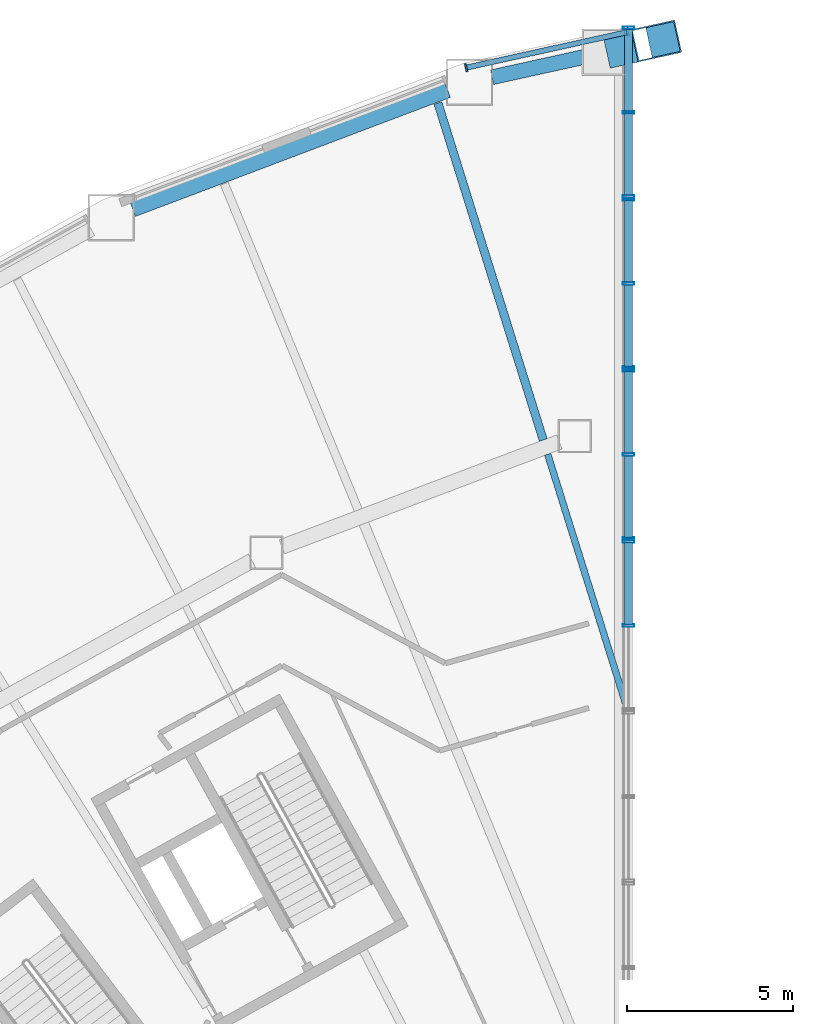
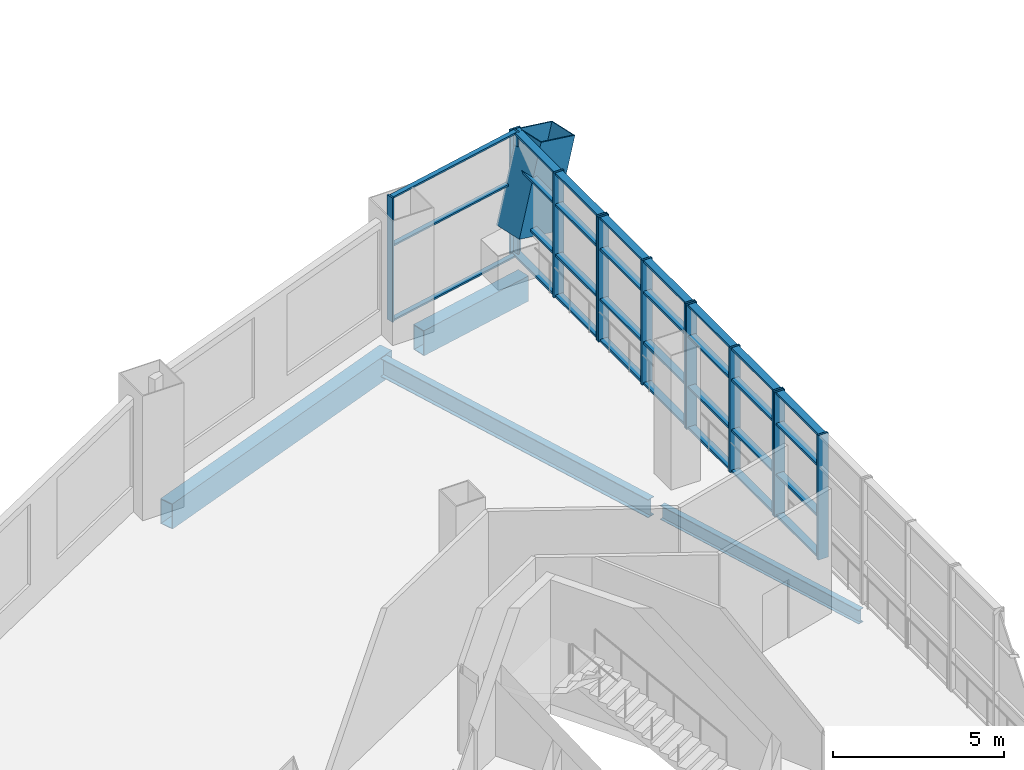
# One storey, part 9 of 26: 44 members, 5 beams, 5 elements without a shape of their own.
"""IFC4 building model written with IfcOpenShell, lengths in metres."""

from ifc_helpers import new_model, si_unit, direction, frame, origin, origin_2d, place, context, subcontext, project, spatial, rectangle, hollow_rectangle, i_section, extrude, material, layer, layer_set, material_profile, profile_set, type_object, element, aggregate, save


model = new_model("IFC4")

# Units and contexts
model_context = context("Model", 3, precision=1e-05, world=origin(), true_north=direction((0.0, 1.0)))
body_context = subcontext(model_context, "Body", "Model", "MODEL_VIEW")
ifc_project = project(units=[si_unit("LENGTHUNIT", "METRE"), si_unit("AREAUNIT", "SQUARE_METRE"), si_unit("VOLUMEUNIT", "CUBIC_METRE"), si_unit("PLANEANGLEUNIT", "RADIAN"), si_unit("MASSUNIT", "GRAM", prefix="KILO")], contexts=[model_context])

# Site, building, storey
site_placement = place(None, origin())
site = spatial("IfcSite", under=ifc_project, at=site_placement, CompositionType="ELEMENT")
building_placement = place(site_placement, origin())
building = spatial("IfcBuilding", under=site, at=building_placement, Name="Tuul Gate Civic Tower", CompositionType="ELEMENT")
storey_placement = place(building_placement, frame((0.0, 0.0, 7.5)))
storey = spatial("IfcBuildingStorey", under=building, at=storey_placement, Name="Level 01", CompositionType="ELEMENT", Elevation=7.5)

# Curtain wall, members
ifc_material_1 = material(Name="Stainless steel", Category="steel")
ifc_layer_1 = layer(ifc_material_1, 0.199951171875)
ifc_layer_set_1 = layer_set([ifc_layer_1], Name="Stainless steel")
curtain_wall_type_1 = type_object("IfcCurtainWallType", Name="Curtain wall CW2", PredefinedType="NOTDEFINED", material=ifc_layer_set_1)
curtain_wall_1_placement = place(storey_placement, origin())
curtain_wall_1 = element("IfcCurtainWall", 1, at=curtain_wall_1_placement, inside=storey, type_object=curtain_wall_type_1, Name="Curtain wall CW2", PredefinedType="NOTDEFINED")
ifc_material_2 = material(Name="Stainless steel", Category="steel")
ifc_material_profile_1 = material_profile(ifc_material_2, hollow_rectangle(XDim=0.35009765625, YDim=0.080078125, WallThickness=0.006103515625, at=origin_2d()), Name="CW2 mullion")
ifc_profile_set_1 = profile_set([ifc_material_profile_1], Name="Stainless steel")
member_type_1 = type_object("IfcMemberType", Name="CW2 mullion", PredefinedType="MULLION", material=ifc_profile_set_1)
member_1_placement = place(storey_placement, frame((-18.0, 0.214599609375, 0.0), z_axis=(0.0, 0.0, 1.0), x_axis=(-1.0, 0.0, 0.0)))
member_1 = element("IfcMember", 2, at=member_1_placement, type_object=member_type_1, Name="Mullion", PredefinedType="MULLION", context=body_context, shape_type="SweptSolid", body=[
    extrude(hollow_rectangle(XDim=0.35009765625, YDim=0.080078125, WallThickness=0.006103515625, at=origin_2d()), origin(), (0.0, 0.0, 1.0), 4.449951171875),
])
member_2_placement = place(storey_placement, frame((-18.0, 2.753173828125, 0.0), z_axis=(0.0, 0.0, 1.0), x_axis=(-1.0, 0.0, 0.0)))
member_2 = element("IfcMember", 3, at=member_2_placement, type_object=member_type_1, Name="Mullion", PredefinedType="MULLION", context=body_context, shape_type="SweptSolid", body=[
    extrude(hollow_rectangle(XDim=0.35009765625, YDim=0.080078125, WallThickness=0.006103515625, at=origin_2d()), origin(), (0.0, 0.0, 1.0), 4.449951171875),
])

curtain_wall_2_placement = place(storey_placement, origin())
curtain_wall_2 = element("IfcCurtainWall", 4, at=curtain_wall_2_placement, inside=storey, type_object=curtain_wall_type_1, Name="Curtain wall CW2", PredefinedType="NOTDEFINED")
member_3_placement = place(storey_placement, frame((-18.0, 2.833251953125, 0.0), z_axis=(0.0, 0.0, 1.0), x_axis=(-1.0, 0.0, 0.0)))
member_3 = element("IfcMember", 5, at=member_3_placement, type_object=member_type_1, Name="Mullion", PredefinedType="MULLION", context=body_context, shape_type="SweptSolid", body=[
    extrude(hollow_rectangle(XDim=0.35009765625, YDim=0.080078125, WallThickness=0.006103515625, at=origin_2d()), origin(), (0.0, 0.0, 1.0), 4.449951171875),
])
member_4_placement = place(storey_placement, frame((-18.0, 5.371826171875, 0.0), z_axis=(0.0, 0.0, 1.0), x_axis=(-1.0, 0.0, 0.0)))
member_4 = element("IfcMember", 6, at=member_4_placement, type_object=member_type_1, Name="Mullion", PredefinedType="MULLION", context=body_context, shape_type="SweptSolid", body=[
    extrude(hollow_rectangle(XDim=0.35009765625, YDim=0.080078125, WallThickness=0.006103515625, at=origin_2d()), origin(), (0.0, 0.0, 1.0), 4.449951171875),
])
member_5_placement = place(storey_placement, frame((-18.0, 7.910400390625, 0.0), z_axis=(0.0, 0.0, 1.0), x_axis=(-1.0, 0.0, 0.0)))
member_5 = element("IfcMember", 7, at=member_5_placement, type_object=member_type_1, Name="Mullion", PredefinedType="MULLION", context=body_context, shape_type="SweptSolid", body=[
    extrude(hollow_rectangle(XDim=0.35009765625, YDim=0.080078125, WallThickness=0.006103515625, at=origin_2d()), origin(), (0.0, 0.0, 1.0), 4.449951171875),
])

curtain_wall_3_placement = place(storey_placement, origin())
curtain_wall_3 = element("IfcCurtainWall", 8, at=curtain_wall_3_placement, inside=storey, type_object=curtain_wall_type_1, Name="Curtain wall CW2", PredefinedType="NOTDEFINED")
member_6_placement = place(storey_placement, frame((-18.0, 7.990478515625, 0.0), z_axis=(0.0, 0.0, 1.0), x_axis=(-1.0, 0.0, 0.0)))
member_6 = element("IfcMember", 9, at=member_6_placement, type_object=member_type_1, Name="Mullion", PredefinedType="MULLION", context=body_context, shape_type="SweptSolid", body=[
    extrude(hollow_rectangle(XDim=0.35009765625, YDim=0.080078125, WallThickness=0.006103515625, at=origin_2d()), origin(), (0.0, 0.0, 1.0), 4.449951171875),
])
member_7_placement = place(storey_placement, frame((-18.0, 10.529052734375, 0.0), z_axis=(0.0, 0.0, 1.0), x_axis=(-1.0, 0.0, 0.0)))
member_7 = element("IfcMember", 10, at=member_7_placement, type_object=member_type_1, Name="Mullion", PredefinedType="MULLION", context=body_context, shape_type="SweptSolid", body=[
    extrude(hollow_rectangle(XDim=0.35009765625, YDim=0.080078125, WallThickness=0.006103515625, at=origin_2d()), origin(), (0.0, 0.0, 1.0), 4.449951171875),
])
member_8_placement = place(storey_placement, frame((-18.0, 13.067626953125, 0.0), z_axis=(0.0, 0.0, 1.0), x_axis=(-1.0, 0.0, 0.0)))
member_8 = element("IfcMember", 11, at=member_8_placement, type_object=member_type_1, Name="Mullion", PredefinedType="MULLION", context=body_context, shape_type="SweptSolid", body=[
    extrude(hollow_rectangle(XDim=0.35009765625, YDim=0.080078125, WallThickness=0.006103515625, at=origin_2d()), origin(), (0.0, 0.0, 1.0), 4.449951171875),
])

curtain_wall_4_placement = place(storey_placement, origin())
curtain_wall_4 = element("IfcCurtainWall", 12, at=curtain_wall_4_placement, inside=storey, type_object=curtain_wall_type_1, Name="Curtain wall CW2", PredefinedType="NOTDEFINED")
member_9_placement = place(storey_placement, frame((-18.0, 13.147705078125, 0.0), z_axis=(0.0, 0.0, 1.0), x_axis=(-1.0, 0.0, 0.0)))
member_9 = element("IfcMember", 13, at=member_9_placement, type_object=member_type_1, Name="Mullion", PredefinedType="MULLION", context=body_context, shape_type="SweptSolid", body=[
    extrude(hollow_rectangle(XDim=0.35009765625, YDim=0.080078125, WallThickness=0.006103515625, at=origin_2d()), origin(), (0.0, 0.0, 1.0), 4.449951171875),
])
member_10_placement = place(storey_placement, frame((-18.0, 15.686279296875, 0.0), z_axis=(0.0, 0.0, 1.0), x_axis=(-1.0, 0.0, 0.0)))
member_10 = element("IfcMember", 14, at=member_10_placement, type_object=member_type_1, Name="Mullion", PredefinedType="MULLION", context=body_context, shape_type="SweptSolid", body=[
    extrude(hollow_rectangle(XDim=0.35009765625, YDim=0.080078125, WallThickness=0.006103515625, at=origin_2d()), origin(), (0.0, 0.0, 1.0), 4.449951171875),
])
member_11_placement = place(storey_placement, frame((-18.0, 18.22509765625, 0.0), z_axis=(0.0, 0.0, 1.0), x_axis=(-1.0, 0.0, 0.0)))
member_11 = element("IfcMember", 15, at=member_11_placement, type_object=member_type_1, Name="Mullion", PredefinedType="MULLION", context=body_context, shape_type="SweptSolid", body=[
    extrude(hollow_rectangle(XDim=0.35009765625, YDim=0.080078125, WallThickness=0.006103515625, at=origin_2d()), origin(), (0.0, 0.0, 1.0), 4.449951171875),
])

# Member
ifc_material_3 = material(Name="Stainless steel", Category="steel")
ifc_material_profile_2 = material_profile(ifc_material_3, hollow_rectangle(XDim=0.25, YDim=0.080078125, WallThickness=0.006103515625, at=origin_2d()), Name="CW2 transom")
ifc_profile_set_2 = profile_set([ifc_material_profile_2], Name="Stainless steel")
member_type_2 = type_object("IfcMemberType", Name="CW2 transom", PredefinedType="USERDEFINED", material=ifc_profile_set_2)
member_12_placement = place(storey_placement, frame((-18.0, 0.25439453125, 0.0400390625), z_axis=(0.0, 1.0, 0.0), x_axis=(-1.0, 0.0, 0.0)))
member_12 = element("IfcMember", 16, at=member_12_placement, type_object=member_type_2, Name="Transom", ObjectType="TRANSOM", PredefinedType="USERDEFINED", context=body_context, shape_type="SweptSolid", body=[
    extrude(hollow_rectangle(XDim=0.25, YDim=0.080078125, WallThickness=0.006103515625, at=origin_2d()), origin(), (0.0, 0.0, 1.0), 2.458740234375),
])

member_13_placement = place(storey_placement, frame((-18.0, 0.25439453125, 1.5), z_axis=(0.0, 1.0, 0.0), x_axis=(-1.0, 0.0, 0.0)))
member_13 = element("IfcMember", 17, at=member_13_placement, type_object=member_type_2, Name="Transom", ObjectType="TRANSOM", PredefinedType="USERDEFINED", context=body_context, shape_type="SweptSolid", body=[
    extrude(hollow_rectangle(XDim=0.25, YDim=0.080078125, WallThickness=0.006103515625, at=origin_2d()), origin(), (0.0, 0.0, 1.0), 2.458740234375),
])

member_14_placement = place(storey_placement, frame((-18.0, 0.25439453125, 3.300048828125), z_axis=(0.0, 1.0, 0.0), x_axis=(-1.0, 0.0, 0.0)))
member_14 = element("IfcMember", 18, at=member_14_placement, type_object=member_type_2, Name="Transom", ObjectType="TRANSOM", PredefinedType="USERDEFINED", context=body_context, shape_type="SweptSolid", body=[
    extrude(hollow_rectangle(XDim=0.25, YDim=0.080078125, WallThickness=0.006103515625, at=origin_2d()), origin(), (0.0, 0.0, 1.0), 2.458740234375),
])

member_15_placement = place(storey_placement, frame((-18.0, 0.25439453125, 4.409912109375), z_axis=(0.0, 1.0, 0.0), x_axis=(-1.0, 0.0, 0.0)))
member_15 = element("IfcMember", 19, at=member_15_placement, type_object=member_type_2, Name="Transom", ObjectType="TRANSOM", PredefinedType="USERDEFINED", context=body_context, shape_type="SweptSolid", body=[
    extrude(hollow_rectangle(XDim=0.25, YDim=0.080078125, WallThickness=0.006103515625, at=origin_2d()), origin(), (0.0, 0.0, 1.0), 2.458740234375),
])

aggregate(curtain_wall_1, [member_1, member_2, member_12, member_13, member_14, member_15])

member_16_placement = place(storey_placement, frame((-18.0, 2.873046875, 0.0400390625), z_axis=(0.0, 1.0, 0.0), x_axis=(-1.0, 0.0, 0.0)))
member_16 = element("IfcMember", 20, at=member_16_placement, type_object=member_type_2, Name="Transom", ObjectType="TRANSOM", PredefinedType="USERDEFINED", context=body_context, shape_type="SweptSolid", body=[
    extrude(hollow_rectangle(XDim=0.25, YDim=0.080078125, WallThickness=0.006103515625, at=origin_2d()), origin(), (0.0, 0.0, 1.0), 2.458740234375),
])

member_17_placement = place(storey_placement, frame((-18.0, 2.873046875, 1.5), z_axis=(0.0, 1.0, 0.0), x_axis=(-1.0, 0.0, 0.0)))
member_17 = element("IfcMember", 21, at=member_17_placement, type_object=member_type_2, Name="Transom", ObjectType="TRANSOM", PredefinedType="USERDEFINED", context=body_context, shape_type="SweptSolid", body=[
    extrude(hollow_rectangle(XDim=0.25, YDim=0.080078125, WallThickness=0.006103515625, at=origin_2d()), origin(), (0.0, 0.0, 1.0), 2.458740234375),
])

member_18_placement = place(storey_placement, frame((-18.0, 2.873046875, 3.300048828125), z_axis=(0.0, 1.0, 0.0), x_axis=(-1.0, 0.0, 0.0)))
member_18 = element("IfcMember", 22, at=member_18_placement, type_object=member_type_2, Name="Transom", ObjectType="TRANSOM", PredefinedType="USERDEFINED", context=body_context, shape_type="SweptSolid", body=[
    extrude(hollow_rectangle(XDim=0.25, YDim=0.080078125, WallThickness=0.006103515625, at=origin_2d()), origin(), (0.0, 0.0, 1.0), 2.458740234375),
])

member_19_placement = place(storey_placement, frame((-18.0, 2.873046875, 4.409912109375), z_axis=(0.0, 1.0, 0.0), x_axis=(-1.0, 0.0, 0.0)))
member_19 = element("IfcMember", 23, at=member_19_placement, type_object=member_type_2, Name="Transom", ObjectType="TRANSOM", PredefinedType="USERDEFINED", context=body_context, shape_type="SweptSolid", body=[
    extrude(hollow_rectangle(XDim=0.25, YDim=0.080078125, WallThickness=0.006103515625, at=origin_2d()), origin(), (0.0, 0.0, 1.0), 2.458740234375),
])

member_20_placement = place(storey_placement, frame((-18.0, 5.411865234375, 0.0400390625), z_axis=(0.0, 1.0, 0.0), x_axis=(-1.0, 0.0, 0.0)))
member_20 = element("IfcMember", 24, at=member_20_placement, type_object=member_type_2, Name="Transom", ObjectType="TRANSOM", PredefinedType="USERDEFINED", context=body_context, shape_type="SweptSolid", body=[
    extrude(hollow_rectangle(XDim=0.25, YDim=0.080078125, WallThickness=0.006103515625, at=origin_2d()), origin(), (0.0, 0.0, 1.0), 2.45849609375),
])

member_21_placement = place(storey_placement, frame((-18.0, 5.411865234375, 1.5), z_axis=(0.0, 1.0, 0.0), x_axis=(-1.0, 0.0, 0.0)))
member_21 = element("IfcMember", 25, at=member_21_placement, type_object=member_type_2, Name="Transom", ObjectType="TRANSOM", PredefinedType="USERDEFINED", context=body_context, shape_type="SweptSolid", body=[
    extrude(hollow_rectangle(XDim=0.25, YDim=0.080078125, WallThickness=0.006103515625, at=origin_2d()), origin(), (0.0, 0.0, 1.0), 2.45849609375),
])

member_22_placement = place(storey_placement, frame((-18.0, 5.411865234375, 3.300048828125), z_axis=(0.0, 1.0, 0.0), x_axis=(-1.0, 0.0, 0.0)))
member_22 = element("IfcMember", 26, at=member_22_placement, type_object=member_type_2, Name="Transom", ObjectType="TRANSOM", PredefinedType="USERDEFINED", context=body_context, shape_type="SweptSolid", body=[
    extrude(hollow_rectangle(XDim=0.25, YDim=0.080078125, WallThickness=0.006103515625, at=origin_2d()), origin(), (0.0, 0.0, 1.0), 2.45849609375),
])

member_23_placement = place(storey_placement, frame((-18.0, 5.411865234375, 4.409912109375), z_axis=(0.0, 1.0, 0.0), x_axis=(-1.0, 0.0, 0.0)))
member_23 = element("IfcMember", 27, at=member_23_placement, type_object=member_type_2, Name="Transom", ObjectType="TRANSOM", PredefinedType="USERDEFINED", context=body_context, shape_type="SweptSolid", body=[
    extrude(hollow_rectangle(XDim=0.25, YDim=0.080078125, WallThickness=0.006103515625, at=origin_2d()), origin(), (0.0, 0.0, 1.0), 2.45849609375),
])

aggregate(curtain_wall_2, [member_3, member_4, member_5, member_16, member_17, member_18, member_19, member_20, member_21, member_22, member_23])

member_24_placement = place(storey_placement, frame((-18.0, 8.030517578125, 0.0400390625), z_axis=(0.0, 1.0, 0.0), x_axis=(-1.0, 0.0, 0.0)))
member_24 = element("IfcMember", 28, at=member_24_placement, type_object=member_type_2, Name="Transom", ObjectType="TRANSOM", PredefinedType="USERDEFINED", context=body_context, shape_type="SweptSolid", body=[
    extrude(hollow_rectangle(XDim=0.25, YDim=0.080078125, WallThickness=0.006103515625, at=origin_2d()), origin(), (0.0, 0.0, 1.0), 2.45849609375),
])

member_25_placement = place(storey_placement, frame((-18.0, 8.030517578125, 1.5), z_axis=(0.0, 1.0, 0.0), x_axis=(-1.0, 0.0, 0.0)))
member_25 = element("IfcMember", 29, at=member_25_placement, type_object=member_type_2, Name="Transom", ObjectType="TRANSOM", PredefinedType="USERDEFINED", context=body_context, shape_type="SweptSolid", body=[
    extrude(hollow_rectangle(XDim=0.25, YDim=0.080078125, WallThickness=0.006103515625, at=origin_2d()), origin(), (0.0, 0.0, 1.0), 2.45849609375),
])

member_26_placement = place(storey_placement, frame((-18.0, 8.030517578125, 3.300048828125), z_axis=(0.0, 1.0, 0.0), x_axis=(-1.0, 0.0, 0.0)))
member_26 = element("IfcMember", 30, at=member_26_placement, type_object=member_type_2, Name="Transom", ObjectType="TRANSOM", PredefinedType="USERDEFINED", context=body_context, shape_type="SweptSolid", body=[
    extrude(hollow_rectangle(XDim=0.25, YDim=0.080078125, WallThickness=0.006103515625, at=origin_2d()), origin(), (0.0, 0.0, 1.0), 2.45849609375),
])

member_27_placement = place(storey_placement, frame((-18.0, 8.030517578125, 4.409912109375), z_axis=(0.0, 1.0, 0.0), x_axis=(-1.0, 0.0, 0.0)))
member_27 = element("IfcMember", 31, at=member_27_placement, type_object=member_type_2, Name="Transom", ObjectType="TRANSOM", PredefinedType="USERDEFINED", context=body_context, shape_type="SweptSolid", body=[
    extrude(hollow_rectangle(XDim=0.25, YDim=0.080078125, WallThickness=0.006103515625, at=origin_2d()), origin(), (0.0, 0.0, 1.0), 2.45849609375),
])

member_28_placement = place(storey_placement, frame((-18.0, 10.569091796875, 0.0400390625), z_axis=(0.0, 1.0, 0.0), x_axis=(-1.0, 0.0, 0.0)))
member_28 = element("IfcMember", 32, at=member_28_placement, type_object=member_type_2, Name="Transom", ObjectType="TRANSOM", PredefinedType="USERDEFINED", context=body_context, shape_type="SweptSolid", body=[
    extrude(hollow_rectangle(XDim=0.25, YDim=0.080078125, WallThickness=0.006103515625, at=origin_2d()), origin(), (0.0, 0.0, 1.0), 2.458740234375),
])

member_29_placement = place(storey_placement, frame((-18.0, 10.569091796875, 1.5), z_axis=(0.0, 1.0, 0.0), x_axis=(-1.0, 0.0, 0.0)))
member_29 = element("IfcMember", 33, at=member_29_placement, type_object=member_type_2, Name="Transom", ObjectType="TRANSOM", PredefinedType="USERDEFINED", context=body_context, shape_type="SweptSolid", body=[
    extrude(hollow_rectangle(XDim=0.25, YDim=0.080078125, WallThickness=0.006103515625, at=origin_2d()), origin(), (0.0, 0.0, 1.0), 2.458740234375),
])

member_30_placement = place(storey_placement, frame((-18.0, 10.569091796875, 3.300048828125), z_axis=(0.0, 1.0, 0.0), x_axis=(-1.0, 0.0, 0.0)))
member_30 = element("IfcMember", 34, at=member_30_placement, type_object=member_type_2, Name="Transom", ObjectType="TRANSOM", PredefinedType="USERDEFINED", context=body_context, shape_type="SweptSolid", body=[
    extrude(hollow_rectangle(XDim=0.25, YDim=0.080078125, WallThickness=0.006103515625, at=origin_2d()), origin(), (0.0, 0.0, 1.0), 2.458740234375),
])

member_31_placement = place(storey_placement, frame((-18.0, 10.569091796875, 4.409912109375), z_axis=(0.0, 1.0, 0.0), x_axis=(-1.0, 0.0, 0.0)))
member_31 = element("IfcMember", 35, at=member_31_placement, type_object=member_type_2, Name="Transom", ObjectType="TRANSOM", PredefinedType="USERDEFINED", context=body_context, shape_type="SweptSolid", body=[
    extrude(hollow_rectangle(XDim=0.25, YDim=0.080078125, WallThickness=0.006103515625, at=origin_2d()), origin(), (0.0, 0.0, 1.0), 2.458740234375),
])

aggregate(curtain_wall_3, [member_6, member_7, member_8, member_24, member_25, member_26, member_27, member_28, member_29, member_30, member_31])

member_32_placement = place(storey_placement, frame((-18.0, 13.187744140625, 0.0400390625), z_axis=(0.0, 1.0, 0.0), x_axis=(-1.0, 0.0, 0.0)))
member_32 = element("IfcMember", 36, at=member_32_placement, type_object=member_type_2, Name="Transom", ObjectType="TRANSOM", PredefinedType="USERDEFINED", context=body_context, shape_type="SweptSolid", body=[
    extrude(hollow_rectangle(XDim=0.25, YDim=0.080078125, WallThickness=0.006103515625, at=origin_2d()), origin(), (0.0, 0.0, 1.0), 2.45849609375),
])

member_33_placement = place(storey_placement, frame((-18.0, 13.187744140625, 1.5), z_axis=(0.0, 1.0, 0.0), x_axis=(-1.0, 0.0, 0.0)))
member_33 = element("IfcMember", 37, at=member_33_placement, type_object=member_type_2, Name="Transom", ObjectType="TRANSOM", PredefinedType="USERDEFINED", context=body_context, shape_type="SweptSolid", body=[
    extrude(hollow_rectangle(XDim=0.25, YDim=0.080078125, WallThickness=0.006103515625, at=origin_2d()), origin(), (0.0, 0.0, 1.0), 2.45849609375),
])

member_34_placement = place(storey_placement, frame((-18.0, 13.187744140625, 3.300048828125), z_axis=(0.0, 1.0, 0.0), x_axis=(-1.0, 0.0, 0.0)))
member_34 = element("IfcMember", 38, at=member_34_placement, type_object=member_type_2, Name="Transom", ObjectType="TRANSOM", PredefinedType="USERDEFINED", context=body_context, shape_type="SweptSolid", body=[
    extrude(hollow_rectangle(XDim=0.25, YDim=0.080078125, WallThickness=0.006103515625, at=origin_2d()), origin(), (0.0, 0.0, 1.0), 2.45849609375),
])

member_35_placement = place(storey_placement, frame((-18.0, 13.187744140625, 4.409912109375), z_axis=(0.0, 1.0, 0.0), x_axis=(-1.0, 0.0, 0.0)))
member_35 = element("IfcMember", 39, at=member_35_placement, type_object=member_type_2, Name="Transom", ObjectType="TRANSOM", PredefinedType="USERDEFINED", context=body_context, shape_type="SweptSolid", body=[
    extrude(hollow_rectangle(XDim=0.25, YDim=0.080078125, WallThickness=0.006103515625, at=origin_2d()), origin(), (0.0, 0.0, 1.0), 2.45849609375),
])

member_36_placement = place(storey_placement, frame((-18.0, 15.726318359375, 0.0400390625), z_axis=(0.0, 1.0, 0.0), x_axis=(-1.0, 0.0, 0.0)))
member_36 = element("IfcMember", 40, at=member_36_placement, type_object=member_type_2, Name="Transom", ObjectType="TRANSOM", PredefinedType="USERDEFINED", context=body_context, shape_type="SweptSolid", body=[
    extrude(hollow_rectangle(XDim=0.25, YDim=0.080078125, WallThickness=0.006103515625, at=origin_2d()), origin(), (0.0, 0.0, 1.0), 2.458740234375),
])

member_37_placement = place(storey_placement, frame((-18.0, 15.726318359375, 1.5), z_axis=(0.0, 1.0, 0.0), x_axis=(-1.0, 0.0, 0.0)))
member_37 = element("IfcMember", 41, at=member_37_placement, type_object=member_type_2, Name="Transom", ObjectType="TRANSOM", PredefinedType="USERDEFINED", context=body_context, shape_type="SweptSolid", body=[
    extrude(hollow_rectangle(XDim=0.25, YDim=0.080078125, WallThickness=0.006103515625, at=origin_2d()), origin(), (0.0, 0.0, 1.0), 2.458740234375),
])

member_38_placement = place(storey_placement, frame((-18.0, 15.726318359375, 3.300048828125), z_axis=(0.0, 1.0, 0.0), x_axis=(-1.0, 0.0, 0.0)))
member_38 = element("IfcMember", 42, at=member_38_placement, type_object=member_type_2, Name="Transom", ObjectType="TRANSOM", PredefinedType="USERDEFINED", context=body_context, shape_type="SweptSolid", body=[
    extrude(hollow_rectangle(XDim=0.25, YDim=0.080078125, WallThickness=0.006103515625, at=origin_2d()), origin(), (0.0, 0.0, 1.0), 2.458740234375),
])

member_39_placement = place(storey_placement, frame((-18.0, 15.726318359375, 4.409912109375), z_axis=(0.0, 1.0, 0.0), x_axis=(-1.0, 0.0, 0.0)))
member_39 = element("IfcMember", 43, at=member_39_placement, type_object=member_type_2, Name="Transom", ObjectType="TRANSOM", PredefinedType="USERDEFINED", context=body_context, shape_type="SweptSolid", body=[
    extrude(hollow_rectangle(XDim=0.25, YDim=0.080078125, WallThickness=0.006103515625, at=origin_2d()), origin(), (0.0, 0.0, 1.0), 2.458740234375),
])

aggregate(curtain_wall_4, [member_9, member_10, member_11, member_32, member_33, member_34, member_35, member_36, member_37, member_38, member_39])

# Curtain wall, members
ifc_material_4 = material(Name="Aluminium", Category="aluminium")
ifc_layer_2 = layer(ifc_material_4, 0.199951171875)
ifc_layer_set_2 = layer_set([ifc_layer_2], Name="Aluminium")
curtain_wall_type_2 = type_object("IfcCurtainWallType", Name="Curtain wall CW6", PredefinedType="NOTDEFINED", material=ifc_layer_set_2)
curtain_wall_5_placement = place(storey_placement, origin())
curtain_wall_5 = element("IfcCurtainWall", 44, at=curtain_wall_5_placement, inside=storey, type_object=curtain_wall_type_2, Name="Curtain wall CW6", PredefinedType="NOTDEFINED")
ifc_material_5 = material(Name="Aluminium", Category="aluminium")
ifc_material_profile_3 = material_profile(ifc_material_5, rectangle(XDim=0.239990234375, YDim=0.06005859375, at=origin_2d()), Name="CW6 mullion")
ifc_profile_set_3 = profile_set([ifc_material_profile_3], Name="Aluminium")
member_type_3 = type_object("IfcMemberType", Name="CW6 mullion", PredefinedType="MULLION", material=ifc_profile_set_3)
member_40_placement = place(storey_placement, frame((-18.029296875, 18.10498046875, 0.0), z_axis=(0.0, 0.0, 1.0), x_axis=(0.215206763662, -0.976568507005, 0.0)))
member_40 = element("IfcMember", 45, at=member_40_placement, type_object=member_type_3, Name="Mullion", PredefinedType="MULLION", context=body_context, shape_type="SweptSolid", body=[
    extrude(rectangle(XDim=0.239990234375, YDim=0.06005859375, at=origin_2d()), origin(), (0.0, 0.0, 1.0), 4.449951171875),
])
member_41_placement = place(storey_placement, frame((-22.8916015625, 17.033447265625, 0.0), z_axis=(0.0, 0.0, 1.0), x_axis=(0.215206763662, -0.976568507005, 0.0)))
member_41 = element("IfcMember", 46, at=member_41_placement, type_object=member_type_3, Name="Mullion", PredefinedType="MULLION", context=body_context, shape_type="SweptSolid", body=[
    extrude(rectangle(XDim=0.239990234375, YDim=0.06005859375, at=origin_2d()), origin(), (0.0, 0.0, 1.0), 4.449951171875),
])
ifc_material_6 = material(Name="Aluminium", Category="aluminium")
ifc_material_profile_4 = material_profile(ifc_material_6, rectangle(XDim=0.159912109375, YDim=0.06005859375, at=origin_2d()), Name="CW6 transom")
ifc_profile_set_4 = profile_set([ifc_material_profile_4], Name="Aluminium")
member_type_4 = type_object("IfcMemberType", Name="CW6 transom", PredefinedType="USERDEFINED", material=ifc_profile_set_4)
member_42_placement = place(storey_placement, frame((-18.05859375, 18.0986328125, 0.030029296875), z_axis=(-0.976558152302, -0.215253746012, 0.0), x_axis=(0.215253746012, -0.976558152302, 0.0)))
member_42 = element("IfcMember", 47, at=member_42_placement, type_object=member_type_4, Name="Transom", ObjectType="TRANSOM", PredefinedType="USERDEFINED", context=body_context, shape_type="SweptSolid", body=[
    extrude(rectangle(XDim=0.159912109375, YDim=0.06005859375, at=origin_2d()), origin(), (0.0, 0.0, 1.0), 4.9189453125),
])
member_43_placement = place(storey_placement, frame((-18.05859375, 18.0986328125, 2.699951171875), z_axis=(-0.976558152302, -0.215253746012, 0.0), x_axis=(0.215253746012, -0.976558152302, 0.0)))
member_43 = element("IfcMember", 48, at=member_43_placement, type_object=member_type_4, Name="Transom", ObjectType="TRANSOM", PredefinedType="USERDEFINED", context=body_context, shape_type="SweptSolid", body=[
    extrude(rectangle(XDim=0.159912109375, YDim=0.06005859375, at=origin_2d()), origin(), (0.0, 0.0, 1.0), 4.9189453125),
])
member_44_placement = place(storey_placement, frame((-18.05859375, 18.0986328125, 4.419921875), z_axis=(-0.976558152302, -0.215253746012, 0.0), x_axis=(0.215253746012, -0.976558152302, 0.0)))
member_44 = element("IfcMember", 49, at=member_44_placement, type_object=member_type_4, Name="Transom", ObjectType="TRANSOM", PredefinedType="USERDEFINED", context=body_context, shape_type="SweptSolid", body=[
    extrude(rectangle(XDim=0.159912109375, YDim=0.06005859375, at=origin_2d()), origin(), (0.0, 0.0, 1.0), 4.9189453125),
])
aggregate(curtain_wall_5, [member_40, member_41, member_42, member_43, member_44])

# Beams
ifc_material_7 = material(Name="Steel S460", Category="steel")
ifc_material_profile_5 = material_profile(ifc_material_7, hollow_rectangle(XDim=1.0, YDim=1.39990234375, WallThickness=0.0400390625, at=origin_2d()), Name="BOX1400x1000x40")
ifc_profile_set_5 = profile_set([ifc_material_profile_5], Name="Steel S460")
beam_type_1 = type_object("IfcBeamType", Name="STR-ARCH TRUSS CHORD-BOX1400x1000x40", PredefinedType="BEAM", material=ifc_profile_set_5)
beam_1_placement = place(storey_placement, frame((-18.0, 17.651123046875, 1.199951171875), z_axis=(0.264495318905, 0.058273424397, 0.962624762972), x_axis=(-0.215159202061, 0.976578986958, 0.0)))
element("IfcBeam", 50, at=beam_1_placement, inside=storey, type_object=beam_type_1, Name="Arch rib", PredefinedType="BEAM", context=body_context, shape_type="SweptSolid", body=[
    extrude(hollow_rectangle(XDim=1.0, YDim=1.39990234375, WallThickness=0.0400390625, at=origin_2d()), origin(), (0.0, 0.0, 1.0), 3.179931640625),
])
ifc_material_8 = material(Name="Steel S355", Category="steel")
ifc_material_profile_6 = material_profile(ifc_material_8, i_section(OverallWidth=0.199951171875, OverallDepth=0.5, WebThickness=0.010009765625, FlangeThickness=0.01611328125, at=origin_2d()), Name="PG500x200x10x16")
ifc_profile_set_6 = profile_set([ifc_material_profile_6], Name="Steel S355")
beam_type_2 = type_object("IfcBeamType", Name="STR-FLOOR BEAM-PG500x200x10x16", PredefinedType="BEAM", material=ifc_profile_set_6)
beam_2_placement = place(storey_placement, frame((-18.074951171875, -2.170654296875, -0.60009765625), z_axis=(-0.298327718904, 0.954463499634, 0.0), x_axis=(-0.954463499634, -0.298327718904, 0.0)))
element("IfcBeam", 51, at=beam_2_placement, inside=storey, type_object=beam_type_2, Name="Floor beam", PredefinedType="BEAM", context=body_context, shape_type="SweptSolid", body=[
    extrude(i_section(OverallWidth=0.199951171875, OverallDepth=0.5, WebThickness=0.010009765625, FlangeThickness=0.01611328125, at=origin_2d()), origin(), (0.0, 0.0, 1.0), 7.909423828125),
])
ifc_material_9 = material(Name="Steel S355", Category="steel")
ifc_material_profile_7 = material_profile(ifc_material_9, i_section(OverallWidth=0.25, OverallDepth=0.64990234375, WebThickness=0.011962890625, FlangeThickness=0.02001953125, at=origin_2d()), Name="PG650x250x12x20")
ifc_profile_set_7 = profile_set([ifc_material_profile_7], Name="Steel S355")
beam_type_3 = type_object("IfcBeamType", Name="STR-FLOOR BEAM-PG650x250x12x20", PredefinedType="BEAM", material=ifc_profile_set_7)
beam_3_placement = place(storey_placement, frame((-20.569091796875, 5.808837890625, -0.675048828125), z_axis=(-0.298314175954, 0.954467732522, 0.0), x_axis=(-0.954467732522, -0.298314175954, 0.0)))
element("IfcBeam", 52, at=beam_3_placement, inside=storey, type_object=beam_type_3, Name="Floor beam", PredefinedType="BEAM", context=body_context, shape_type="SweptSolid", body=[
    extrude(i_section(OverallWidth=0.25, OverallDepth=0.64990234375, WebThickness=0.011962890625, FlangeThickness=0.02001953125, at=origin_2d()), origin(), (0.0, 0.0, 1.0), 10.643310546875),
])
ifc_material_10 = material(Name="Steel S355", Category="steel")
ifc_material_profile_8 = material_profile(ifc_material_10, hollow_rectangle(XDim=0.449951171875, YDim=0.89990234375, WallThickness=0.02490234375, at=origin_2d()), Name="BOX900x450x25")
ifc_profile_set_8 = profile_set([ifc_material_profile_8], Name="Steel S355")
beam_type_4 = type_object("IfcBeamType", Name="STR-SPANDREL BEAM-BOX900x450x25", PredefinedType="BEAM", material=ifc_profile_set_8)
beam_4_placement = place(storey_placement, frame((-18.050048828125, 17.64013671875, -0.800048828125), z_axis=(-0.976558834527, -0.215250650888, 0.0), x_axis=(0.215250650888, -0.976558834527, 0.0)))
element("IfcBeam", 53, at=beam_4_placement, inside=storey, type_object=beam_type_4, Name="Spandrel beam", PredefinedType="BEAM", context=body_context, shape_type="SweptSolid", body=[
    extrude(hollow_rectangle(XDim=0.449951171875, YDim=0.89990234375, WallThickness=0.02490234375, at=origin_2d()), origin(), (0.0, 0.0, 1.0), 4.15576171875),
])
beam_5_placement = place(storey_placement, frame((-23.44677734375, 16.347412109375, -0.800048828125), z_axis=(-0.935355549891, -0.353708913215, 0.0), x_axis=(0.353708913215, -0.935355549891, 0.0)))
element("IfcBeam", 54, at=beam_5_placement, inside=storey, type_object=beam_type_4, Name="Spandrel beam", PredefinedType="BEAM", context=body_context, shape_type="SweptSolid", body=[
    extrude(hollow_rectangle(XDim=0.449951171875, YDim=0.89990234375, WallThickness=0.02490234375, at=origin_2d()), origin(), (0.0, 0.0, 1.0), 10.146484375),
])

save(model, "model.ifc")
